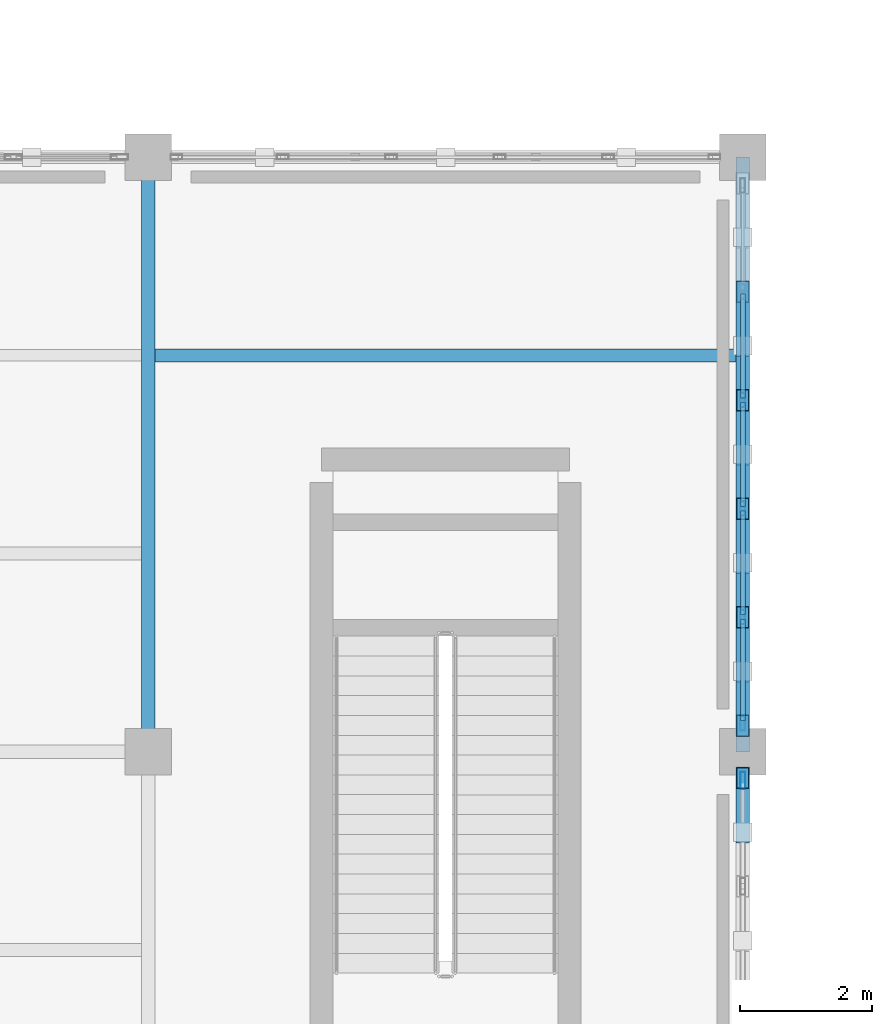
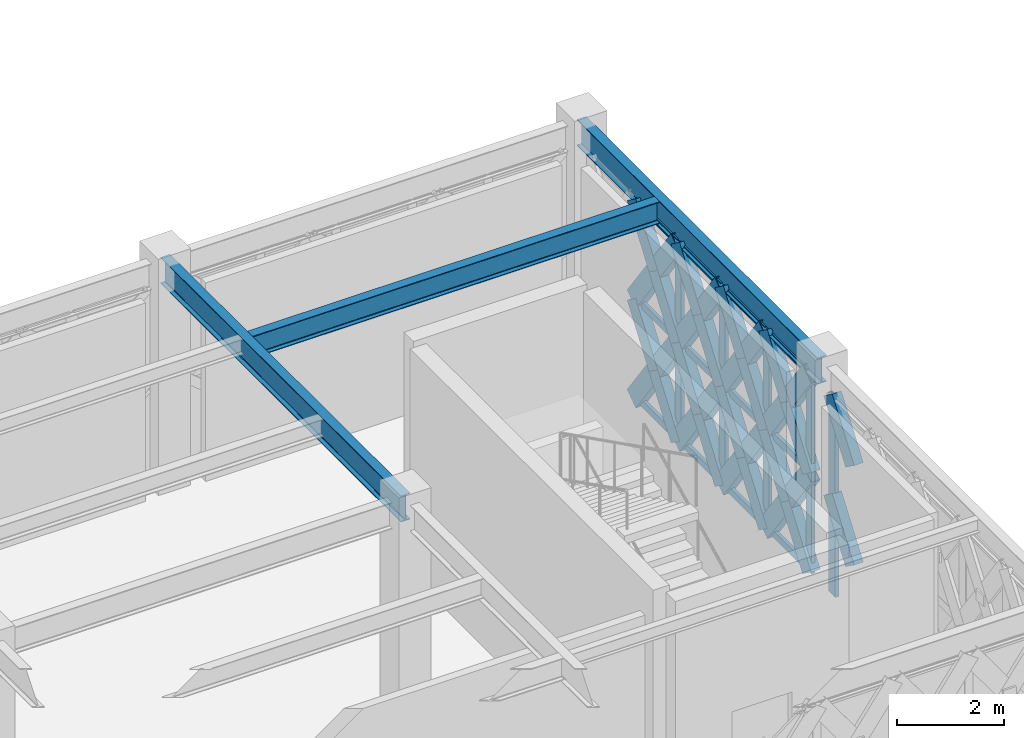
# One storey, part 13 of 72: 43 members, 3 beams, 2 elements without a shape of their own.
"""IFC4 building model written with IfcOpenShell, lengths in metres."""

from ifc_helpers import new_model, si_unit, direction, frame, origin, origin_2d, place, context, subcontext, project, spatial, hollow_rectangle, i_section, extrude, material, material_profile, profile_set, type_object, element, aggregate, save


model = new_model("IFC4")

# Units and contexts
model_context = context("Model", 3, precision=1e-05, world=origin(), true_north=direction((0.0, 1.0)))
body_context = subcontext(model_context, "Body", "Model", "MODEL_VIEW")
ifc_project = project(units=[si_unit("LENGTHUNIT", "METRE"), si_unit("AREAUNIT", "SQUARE_METRE"), si_unit("VOLUMEUNIT", "CUBIC_METRE"), si_unit("PLANEANGLEUNIT", "RADIAN"), si_unit("MASSUNIT", "GRAM", prefix="KILO")], contexts=[model_context])

# Site, building, storey
site_placement = place(None, origin())
site = spatial("IfcSite", under=ifc_project, at=site_placement, CompositionType="ELEMENT")
building_placement = place(site_placement, origin())
building = spatial("IfcBuilding", under=site, at=building_placement, Name="Haizhuo Lancet Aquarium", CompositionType="ELEMENT")
storey_placement = place(building_placement, frame((0.0, 0.0, 21.60009765625)))
storey = spatial("IfcBuildingStorey", under=building, at=storey_placement, Name="L04", CompositionType="ELEMENT", Elevation=21.60009765625)

# Beams
ifc_material_1 = material(Name="Steel S355", Category="steel")
ifc_material_profile_1 = material_profile(ifc_material_1, i_section(OverallWidth=0.199951171875, OverallDepth=0.60009765625, WebThickness=0.010986328125, FlangeThickness=0.01708984375, FilletRadius=0.02197265625, at=origin_2d()), Name="HN 600x200x11x17")
ifc_profile_set_1 = profile_set([ifc_material_profile_1], Name="Steel S355")
beam_type_1 = type_object("IfcBeamType", Name="BM-ST-HN600", PredefinedType="BEAM", material=ifc_profile_set_1)
for number, where, z_axis, x_axis, name in (
    (1, (-45.0, -18.0, 4.849853515625), (0.0, 1.0, 0.0), (-1.0, 0.0, 0.0), "L04 V6 primary girder BM-L04-V6-021"),
    (2, (-36.0, -18.0, 4.849853515625), (0.0, 1.0, 0.0), (-1.0, 0.0, 0.0), "L04 V6 primary girder BM-L04-V6-024"),
):
    element("IfcBeam", number, at=place(storey_placement, frame(where, z_axis=z_axis, x_axis=x_axis)), inside=storey, type_object=beam_type_1, Name=name, PredefinedType="BEAM", context=body_context, shape_type="SweptSolid", body=[
        extrude(i_section(OverallWidth=0.199951171875, OverallDepth=0.60009765625, WebThickness=0.010986328125, FlangeThickness=0.01708984375, FilletRadius=0.02197265625, at=origin_2d()), origin(), (0.0, 0.0, 1.0), 9.0),
    ])

# Curtain wall, members
ifc_material_2 = material(Name="Aluminium 6063-T6", Category="aluminium")
curtain_wall_type = type_object("IfcCurtainWallType", Name="CWD-8210x4550", PredefinedType="NOTDEFINED", material=ifc_material_2)
curtain_wall_1_placement = place(storey_placement, origin())
curtain_wall_1 = element("IfcCurtainWall", 3, at=curtain_wall_1_placement, inside=storey, type_object=curtain_wall_type, Name="L04 curtain wall CW-V6-L04-251", PredefinedType="NOTDEFINED")
ifc_material_profile_2 = material_profile(ifc_material_2, hollow_rectangle(XDim=0.074951171875, YDim=0.219970703125, WallThickness=0.0048828125, at=origin_2d()), Name="ALU-M 75x220x5")
ifc_profile_set_2 = profile_set([ifc_material_profile_2], Name="Aluminium 6063-T6")
member_type_1 = type_object("IfcMemberType", Name="CW-MUL-2", PredefinedType="MULLION", material=ifc_profile_set_2)
member_1_placement = place(storey_placement, frame((-36.0, -12.678955078125, 0.0), z_axis=(0.0, 0.0, 1.0), x_axis=(1.0, 0.0, 0.0)))
member_1 = element("IfcMember", 4, at=member_1_placement, type_object=member_type_1, Name="CWD-82x45 mullion 3", PredefinedType="MULLION", context=body_context, shape_type="SweptSolid", body=[
    extrude(hollow_rectangle(XDim=0.074951171875, YDim=0.219970703125, WallThickness=0.0048828125, at=origin_2d()), origin(), (0.0, 0.0, 1.0), 4.5498046875),
])
member_2_placement = place(storey_placement, frame((-36.0, -14.321044921875, 0.0), z_axis=(0.0, 0.0, 1.0), x_axis=(1.0, 0.0, 0.0)))
member_2 = element("IfcMember", 5, at=member_2_placement, type_object=member_type_1, Name="CWD-82x45 mullion 4", PredefinedType="MULLION", context=body_context, shape_type="SweptSolid", body=[
    extrude(hollow_rectangle(XDim=0.074951171875, YDim=0.219970703125, WallThickness=0.0048828125, at=origin_2d()), origin(), (0.0, 0.0, 1.0), 4.5498046875),
])
member_3_placement = place(storey_placement, frame((-36.0, -15.962890625, 0.0), z_axis=(0.0, 0.0, 1.0), x_axis=(1.0, 0.0, 0.0)))
member_3 = element("IfcMember", 6, at=member_3_placement, type_object=member_type_1, Name="CWD-82x45 mullion 5", PredefinedType="MULLION", context=body_context, shape_type="SweptSolid", body=[
    extrude(hollow_rectangle(XDim=0.074951171875, YDim=0.219970703125, WallThickness=0.0048828125, at=origin_2d()), origin(), (0.0, 0.0, 1.0), 4.5498046875),
])
member_4_placement = place(storey_placement, frame((-36.0, -17.568115234375, 0.0), z_axis=(0.0, 0.0, 1.0), x_axis=(1.0, 0.0, 0.0)))
member_4 = element("IfcMember", 7, at=member_4_placement, type_object=member_type_1, Name="CWD-82x45 mullion 6", PredefinedType="MULLION", context=body_context, shape_type="SweptSolid", body=[
    extrude(hollow_rectangle(XDim=0.074951171875, YDim=0.219970703125, WallThickness=0.0048828125, at=origin_2d()), origin(), (0.0, 0.0, 1.0), 4.5498046875),
])

# Curtain wall, member
curtain_wall_2_placement = place(storey_placement, origin())
curtain_wall_2 = element("IfcCurtainWall", 8, at=curtain_wall_2_placement, inside=storey, type_object=curtain_wall_type, Name="L04 curtain wall CW-V6-L04-252", PredefinedType="NOTDEFINED")
ifc_material_profile_3 = material_profile(ifc_material_2, hollow_rectangle(XDim=0.080078125, YDim=0.260009765625, WallThickness=0.0048828125, at=origin_2d()), Name="ALU-M 80x260x5")
ifc_profile_set_3 = profile_set([ifc_material_profile_3], Name="Aluminium 6063-T6")
member_type_2 = type_object("IfcMemberType", Name="CW-MUL-3", PredefinedType="MULLION", material=ifc_profile_set_3)
member_5_placement = place(storey_placement, frame((-36.0, -18.43505859375, 0.0), z_axis=(0.0, 0.0, 1.0), x_axis=(1.0, 0.0, 0.0)))
member_5 = element("IfcMember", 9, at=member_5_placement, type_object=member_type_2, Name="CWD-82x45 mullion 1", PredefinedType="MULLION", context=body_context, shape_type="SweptSolid", body=[
    extrude(hollow_rectangle(XDim=0.080078125, YDim=0.260009765625, WallThickness=0.0048828125, at=origin_2d()), origin(), (0.0, 0.0, 1.0), 4.5498046875),
])
aggregate(curtain_wall_2, [member_5])

# Member
ifc_material_profile_4 = material_profile(ifc_material_2, hollow_rectangle(XDim=0.074951171875, YDim=0.159912109375, WallThickness=0.00390625, at=origin_2d()), Name="ALU-T 75x160x4")
ifc_profile_set_4 = profile_set([ifc_material_profile_4], Name="Aluminium 6063-T6")
member_type_3 = type_object("IfcMemberType", Name="CW-TRN-2", PredefinedType="NOTDEFINED", material=ifc_profile_set_4)
member_6_placement = place(storey_placement, frame((-36.0, -11.074951171875, 0.037841796875), z_axis=(0.0, -1.0, 0.0), x_axis=(1.0, 0.0, 0.0)))
member_6 = element("IfcMember", 10, at=member_6_placement, type_object=member_type_3, Name="CWD-82x45 transom 2.1", ObjectType="TRANSOM", PredefinedType="USERDEFINED", context=body_context, shape_type="SweptSolid", body=[
    extrude(hollow_rectangle(XDim=0.074951171875, YDim=0.159912109375, WallThickness=0.00390625, at=origin_2d()), origin(), (0.0, 0.0, 1.0), 1.567138671875),
])

member_7_placement = place(storey_placement, frame((-36.0, -11.074951171875, 2.27490234375), z_axis=(0.0, -1.0, 0.0), x_axis=(1.0, 0.0, 0.0)))
member_7 = element("IfcMember", 11, at=member_7_placement, type_object=member_type_3, Name="CWD-82x45 transom 2.2", ObjectType="TRANSOM", PredefinedType="USERDEFINED", context=body_context, shape_type="SweptSolid", body=[
    extrude(hollow_rectangle(XDim=0.074951171875, YDim=0.159912109375, WallThickness=0.00390625, at=origin_2d()), origin(), (0.0, 0.0, 1.0), 1.567138671875),
])

member_8_placement = place(storey_placement, frame((-36.0, -11.074951171875, 4.511962890625), z_axis=(0.0, -1.0, 0.0), x_axis=(1.0, 0.0, 0.0)))
member_8 = element("IfcMember", 12, at=member_8_placement, type_object=member_type_3, Name="CWD-82x45 transom 2.3", ObjectType="TRANSOM", PredefinedType="USERDEFINED", context=body_context, shape_type="SweptSolid", body=[
    extrude(hollow_rectangle(XDim=0.074951171875, YDim=0.159912109375, WallThickness=0.00390625, at=origin_2d()), origin(), (0.0, 0.0, 1.0), 1.567138671875),
])

member_9_placement = place(storey_placement, frame((-36.0, -12.716064453125, 0.037841796875), z_axis=(0.0, -1.0, 0.0), x_axis=(1.0, 0.0, 0.0)))
member_9 = element("IfcMember", 13, at=member_9_placement, type_object=member_type_3, Name="CWD-82x45 transom 3.1", ObjectType="TRANSOM", PredefinedType="USERDEFINED", context=body_context, shape_type="SweptSolid", body=[
    extrude(hollow_rectangle(XDim=0.074951171875, YDim=0.159912109375, WallThickness=0.00390625, at=origin_2d()), origin(), (0.0, 0.0, 1.0), 1.56787109375),
])

member_10_placement = place(storey_placement, frame((-36.0, -12.716064453125, 2.27490234375), z_axis=(0.0, -1.0, 0.0), x_axis=(1.0, 0.0, 0.0)))
member_10 = element("IfcMember", 14, at=member_10_placement, type_object=member_type_3, Name="CWD-82x45 transom 3.2", ObjectType="TRANSOM", PredefinedType="USERDEFINED", context=body_context, shape_type="SweptSolid", body=[
    extrude(hollow_rectangle(XDim=0.074951171875, YDim=0.159912109375, WallThickness=0.00390625, at=origin_2d()), origin(), (0.0, 0.0, 1.0), 1.56787109375),
])

member_11_placement = place(storey_placement, frame((-36.0, -12.716064453125, 4.511962890625), z_axis=(0.0, -1.0, 0.0), x_axis=(1.0, 0.0, 0.0)))
member_11 = element("IfcMember", 15, at=member_11_placement, type_object=member_type_3, Name="CWD-82x45 transom 3.3", ObjectType="TRANSOM", PredefinedType="USERDEFINED", context=body_context, shape_type="SweptSolid", body=[
    extrude(hollow_rectangle(XDim=0.074951171875, YDim=0.159912109375, WallThickness=0.00390625, at=origin_2d()), origin(), (0.0, 0.0, 1.0), 1.56787109375),
])

member_12_placement = place(storey_placement, frame((-36.0, -14.35791015625, 0.037841796875), z_axis=(0.0, -1.0, 0.0), x_axis=(1.0, 0.0, 0.0)))
member_12 = element("IfcMember", 16, at=member_12_placement, type_object=member_type_3, Name="CWD-82x45 transom 4.1", ObjectType="TRANSOM", PredefinedType="USERDEFINED", context=body_context, shape_type="SweptSolid", body=[
    extrude(hollow_rectangle(XDim=0.074951171875, YDim=0.159912109375, WallThickness=0.00390625, at=origin_2d()), origin(), (0.0, 0.0, 1.0), 1.567138671875),
])

member_13_placement = place(storey_placement, frame((-36.0, -14.35791015625, 2.27490234375), z_axis=(0.0, -1.0, 0.0), x_axis=(1.0, 0.0, 0.0)))
member_13 = element("IfcMember", 17, at=member_13_placement, type_object=member_type_3, Name="CWD-82x45 transom 4.2", ObjectType="TRANSOM", PredefinedType="USERDEFINED", context=body_context, shape_type="SweptSolid", body=[
    extrude(hollow_rectangle(XDim=0.074951171875, YDim=0.159912109375, WallThickness=0.00390625, at=origin_2d()), origin(), (0.0, 0.0, 1.0), 1.567138671875),
])

member_14_placement = place(storey_placement, frame((-36.0, -14.35791015625, 4.511962890625), z_axis=(0.0, -1.0, 0.0), x_axis=(1.0, 0.0, 0.0)))
member_14 = element("IfcMember", 18, at=member_14_placement, type_object=member_type_3, Name="CWD-82x45 transom 4.3", ObjectType="TRANSOM", PredefinedType="USERDEFINED", context=body_context, shape_type="SweptSolid", body=[
    extrude(hollow_rectangle(XDim=0.074951171875, YDim=0.159912109375, WallThickness=0.00390625, at=origin_2d()), origin(), (0.0, 0.0, 1.0), 1.567138671875),
])

member_15_placement = place(storey_placement, frame((-36.0, -16.0, 0.037841796875), z_axis=(0.0, -1.0, 0.0), x_axis=(1.0, 0.0, 0.0)))
member_15 = element("IfcMember", 19, at=member_15_placement, type_object=member_type_3, Name="CWD-82x45 transom 5.1", ObjectType="TRANSOM", PredefinedType="USERDEFINED", context=body_context, shape_type="SweptSolid", body=[
    extrude(hollow_rectangle(XDim=0.074951171875, YDim=0.159912109375, WallThickness=0.00390625, at=origin_2d()), origin(), (0.0, 0.0, 1.0), 1.530029296875),
])

member_16_placement = place(storey_placement, frame((-36.0, -16.0, 2.27490234375), z_axis=(0.0, -1.0, 0.0), x_axis=(1.0, 0.0, 0.0)))
member_16 = element("IfcMember", 20, at=member_16_placement, type_object=member_type_3, Name="CWD-82x45 transom 5.2", ObjectType="TRANSOM", PredefinedType="USERDEFINED", context=body_context, shape_type="SweptSolid", body=[
    extrude(hollow_rectangle(XDim=0.074951171875, YDim=0.159912109375, WallThickness=0.00390625, at=origin_2d()), origin(), (0.0, 0.0, 1.0), 1.530029296875),
])

member_17_placement = place(storey_placement, frame((-36.0, -16.0, 4.511962890625), z_axis=(0.0, -1.0, 0.0), x_axis=(1.0, 0.0, 0.0)))
member_17 = element("IfcMember", 21, at=member_17_placement, type_object=member_type_3, Name="CWD-82x45 transom 5.3", ObjectType="TRANSOM", PredefinedType="USERDEFINED", context=body_context, shape_type="SweptSolid", body=[
    extrude(hollow_rectangle(XDim=0.074951171875, YDim=0.159912109375, WallThickness=0.00390625, at=origin_2d()), origin(), (0.0, 0.0, 1.0), 1.530029296875),
])

aggregate(curtain_wall_1, [member_1, member_2, member_3, member_4, member_6, member_7, member_8, member_9, member_10, member_11, member_12, member_13, member_14, member_15, member_16, member_17])

# Beam
ifc_material_profile_5 = material_profile(ifc_material_1, i_section(OverallWidth=0.199951171875, OverallDepth=0.5, WebThickness=0.010009765625, FlangeThickness=0.01611328125, FilletRadius=0.02001953125, at=origin_2d()), Name="HN 500x200x10x16")
ifc_profile_set_5 = profile_set([ifc_material_profile_5], Name="Steel S355")
beam_type_2 = type_object("IfcBeamType", Name="JST-ST-HN500", PredefinedType="JOIST", material=ifc_profile_set_5)
beam_placement = place(storey_placement, frame((-44.89990234375, -12.0, 4.89990234375), z_axis=(1.0, 0.0, 0.0), x_axis=(0.0, 1.0, 0.0)))
element("IfcBeam", 22, at=beam_placement, inside=storey, type_object=beam_type_2, Name="L04 V6 secondary floor joist 15", PredefinedType="JOIST", context=body_context, shape_type="SweptSolid", body=[
    extrude(i_section(OverallWidth=0.199951171875, OverallDepth=0.5, WebThickness=0.010009765625, FlangeThickness=0.01611328125, FilletRadius=0.02001953125, at=origin_2d()), origin(), (0.0, 0.0, 1.0), 8.7998046875),
])

# Members
ifc_material_profile_6 = material_profile(ifc_material_1, hollow_rectangle(XDim=0.199951171875, YDim=0.39990234375, WallThickness=0.011962890625, at=origin_2d()), Name="RHS 200x400x12")
ifc_profile_set_6 = profile_set([ifc_material_profile_6], Name="Steel S355")
member_type_4 = type_object("IfcMemberType", Name="MEM-LB-RHS200x400", PredefinedType="BRACE", material=ifc_profile_set_6)
member_18_placement = place(storey_placement, frame((-36.0, -11.037109375, 0.0), z_axis=(0.0, -0.585223630803, 0.810871939304), x_axis=(1.0, 0.0, 0.0)))
element("IfcMember", 23, at=member_18_placement, inside=storey, type_object=member_type_4, Name="Gothic lancet continuous diagonal brace CW-V6-L04-251 3A", PredefinedType="BRACE", context=body_context, shape_type="SweptSolid", body=[
    extrude(hollow_rectangle(XDim=0.199951171875, YDim=0.39990234375, WallThickness=0.011962890625, at=origin_2d()), origin(), (0.0, 0.0, 1.0), 2.805419921875),
])
member_19_placement = place(storey_placement, frame((-36.0, -12.678955078125, 0.0), z_axis=(0.0, 0.585115697402, 0.810949826224), x_axis=(-1.0, 0.0, 0.0)))
element("IfcMember", 24, at=member_19_placement, inside=storey, type_object=member_type_4, Name="Gothic lancet split diagonal brace CW-V6-L04-251 3B1", PredefinedType="BRACE", context=body_context, shape_type="SweptSolid", body=[
    extrude(hollow_rectangle(XDim=0.199951171875, YDim=0.39990234375, WallThickness=0.011962890625, at=origin_2d()), origin(), (0.0, 0.0, 1.0), 1.4033203125),
])
member_20_placement = place(storey_placement, frame((-36.0, -11.85791015625, 1.137939453125), z_axis=(0.0, 0.585331625772, 0.810793986085), x_axis=(-1.0, 0.0, 0.0)))
element("IfcMember", 25, at=member_20_placement, inside=storey, type_object=member_type_4, Name="Gothic lancet split diagonal brace CW-V6-L04-251 3B2", PredefinedType="BRACE", context=body_context, shape_type="SweptSolid", body=[
    extrude(hollow_rectangle(XDim=0.199951171875, YDim=0.39990234375, WallThickness=0.011962890625, at=origin_2d()), origin(), (0.0, 0.0, 1.0), 1.40234375),
])
member_21_placement = place(storey_placement, frame((-36.0, -11.037109375, 2.27490234375), z_axis=(0.0, -0.585223630803, 0.810871939304), x_axis=(1.0, 0.0, 0.0)))
element("IfcMember", 26, at=member_21_placement, inside=storey, type_object=member_type_4, Name="Gothic lancet continuous diagonal brace CW-V6-L04-251 4A", PredefinedType="BRACE", context=body_context, shape_type="SweptSolid", body=[
    extrude(hollow_rectangle(XDim=0.199951171875, YDim=0.39990234375, WallThickness=0.011962890625, at=origin_2d()), origin(), (0.0, 0.0, 1.0), 2.805419921875),
])
member_22_placement = place(storey_placement, frame((-36.0, -12.678955078125, 2.27490234375), z_axis=(0.0, 0.585446060787, 0.810711360417), x_axis=(-1.0, 0.0, 0.0)))
element("IfcMember", 27, at=member_22_placement, inside=storey, type_object=member_type_4, Name="Gothic lancet split diagonal brace CW-V6-L04-251 4B1", PredefinedType="BRACE", context=body_context, shape_type="SweptSolid", body=[
    extrude(hollow_rectangle(XDim=0.199951171875, YDim=0.39990234375, WallThickness=0.011962890625, at=origin_2d()), origin(), (0.0, 0.0, 1.0), 1.40234375),
])
member_23_placement = place(storey_placement, frame((-36.0, -11.85791015625, 3.411865234375), z_axis=(0.0, 0.585001259689, 0.81103238293), x_axis=(-1.0, 0.0, 0.0)))
element("IfcMember", 28, at=member_23_placement, inside=storey, type_object=member_type_4, Name="Gothic lancet split diagonal brace CW-V6-L04-251 4B2", PredefinedType="BRACE", context=body_context, shape_type="SweptSolid", body=[
    extrude(hollow_rectangle(XDim=0.199951171875, YDim=0.39990234375, WallThickness=0.011962890625, at=origin_2d()), origin(), (0.0, 0.0, 1.0), 1.403076171875),
])
member_24_placement = place(storey_placement, frame((-36.0, -12.678955078125, 0.0), z_axis=(0.0, -0.585280844621, 0.810830643797), x_axis=(1.0, 0.0, 0.0)))
element("IfcMember", 29, at=member_24_placement, inside=storey, type_object=member_type_4, Name="Gothic lancet continuous diagonal brace CW-V6-L04-251 5A", PredefinedType="BRACE", context=body_context, shape_type="SweptSolid", body=[
    extrude(hollow_rectangle(XDim=0.199951171875, YDim=0.39990234375, WallThickness=0.011962890625, at=origin_2d()), origin(), (0.0, 0.0, 1.0), 2.8056640625),
])
member_25_placement = place(storey_placement, frame((-36.0, -14.321044921875, 0.0), z_axis=(0.0, 0.585115697402, 0.810949826224), x_axis=(-1.0, 0.0, 0.0)))
element("IfcMember", 30, at=member_25_placement, inside=storey, type_object=member_type_4, Name="Gothic lancet split diagonal brace CW-V6-L04-251 5B1", PredefinedType="BRACE", context=body_context, shape_type="SweptSolid", body=[
    extrude(hollow_rectangle(XDim=0.199951171875, YDim=0.39990234375, WallThickness=0.011962890625, at=origin_2d()), origin(), (0.0, 0.0, 1.0), 1.4033203125),
])
member_26_placement = place(storey_placement, frame((-36.0, -13.5, 1.137939453125), z_axis=(0.0, 0.585446060787, 0.810711360417), x_axis=(-1.0, 0.0, 0.0)))
element("IfcMember", 31, at=member_26_placement, inside=storey, type_object=member_type_4, Name="Gothic lancet split diagonal brace CW-V6-L04-251 5B2", PredefinedType="BRACE", context=body_context, shape_type="SweptSolid", body=[
    extrude(hollow_rectangle(XDim=0.199951171875, YDim=0.39990234375, WallThickness=0.011962890625, at=origin_2d()), origin(), (0.0, 0.0, 1.0), 1.40234375),
])
member_27_placement = place(storey_placement, frame((-36.0, -12.678955078125, 2.27490234375), z_axis=(0.0, -0.585280844621, 0.810830643797), x_axis=(1.0, 0.0, 0.0)))
element("IfcMember", 32, at=member_27_placement, inside=storey, type_object=member_type_4, Name="Gothic lancet continuous diagonal brace CW-V6-L04-251 6A", PredefinedType="BRACE", context=body_context, shape_type="SweptSolid", body=[
    extrude(hollow_rectangle(XDim=0.199951171875, YDim=0.39990234375, WallThickness=0.011962890625, at=origin_2d()), origin(), (0.0, 0.0, 1.0), 2.8056640625),
])
member_28_placement = place(storey_placement, frame((-36.0, -14.321044921875, 2.27490234375), z_axis=(0.0, 0.585446060787, 0.810711360417), x_axis=(-1.0, 0.0, 0.0)))
element("IfcMember", 33, at=member_28_placement, inside=storey, type_object=member_type_4, Name="Gothic lancet split diagonal brace CW-V6-L04-251 6B1", PredefinedType="BRACE", context=body_context, shape_type="SweptSolid", body=[
    extrude(hollow_rectangle(XDim=0.199951171875, YDim=0.39990234375, WallThickness=0.011962890625, at=origin_2d()), origin(), (0.0, 0.0, 1.0), 1.40234375),
])
member_29_placement = place(storey_placement, frame((-36.0, -13.5, 3.411865234375), z_axis=(0.0, 0.585115697402, 0.810949826224), x_axis=(-1.0, 0.0, 0.0)))
element("IfcMember", 34, at=member_29_placement, inside=storey, type_object=member_type_4, Name="Gothic lancet split diagonal brace CW-V6-L04-251 6B2", PredefinedType="BRACE", context=body_context, shape_type="SweptSolid", body=[
    extrude(hollow_rectangle(XDim=0.199951171875, YDim=0.39990234375, WallThickness=0.011962890625, at=origin_2d()), origin(), (0.0, 0.0, 1.0), 1.4033203125),
])
member_30_placement = place(storey_placement, frame((-36.0, -14.321044921875, 0.0), z_axis=(0.0, -0.585223630803, 0.810871939304), x_axis=(1.0, 0.0, 0.0)))
element("IfcMember", 35, at=member_30_placement, inside=storey, type_object=member_type_4, Name="Gothic lancet continuous diagonal brace CW-V6-L04-251 7A", PredefinedType="BRACE", context=body_context, shape_type="SweptSolid", body=[
    extrude(hollow_rectangle(XDim=0.199951171875, YDim=0.39990234375, WallThickness=0.011962890625, at=origin_2d()), origin(), (0.0, 0.0, 1.0), 2.805419921875),
])
member_31_placement = place(storey_placement, frame((-36.0, -15.962890625, 0.0), z_axis=(0.0, 0.585001259689, 0.81103238293), x_axis=(-1.0, 0.0, 0.0)))
element("IfcMember", 36, at=member_31_placement, inside=storey, type_object=member_type_4, Name="Gothic lancet split diagonal brace CW-V6-L04-251 7B1", PredefinedType="BRACE", context=body_context, shape_type="SweptSolid", body=[
    extrude(hollow_rectangle(XDim=0.199951171875, YDim=0.39990234375, WallThickness=0.011962890625, at=origin_2d()), origin(), (0.0, 0.0, 1.0), 1.403076171875),
])
member_32_placement = place(storey_placement, frame((-36.0, -15.14208984375, 1.137939453125), z_axis=(0.0, 0.585446060787, 0.810711360417), x_axis=(-1.0, 0.0, 0.0)))
element("IfcMember", 37, at=member_32_placement, inside=storey, type_object=member_type_4, Name="Gothic lancet split diagonal brace CW-V6-L04-251 7B2", PredefinedType="BRACE", context=body_context, shape_type="SweptSolid", body=[
    extrude(hollow_rectangle(XDim=0.199951171875, YDim=0.39990234375, WallThickness=0.011962890625, at=origin_2d()), origin(), (0.0, 0.0, 1.0), 1.40234375),
])
member_33_placement = place(storey_placement, frame((-36.0, -14.321044921875, 2.27490234375), z_axis=(0.0, -0.585223630803, 0.810871939304), x_axis=(1.0, 0.0, 0.0)))
element("IfcMember", 38, at=member_33_placement, inside=storey, type_object=member_type_4, Name="Gothic lancet continuous diagonal brace CW-V6-L04-251 8A", PredefinedType="BRACE", context=body_context, shape_type="SweptSolid", body=[
    extrude(hollow_rectangle(XDim=0.199951171875, YDim=0.39990234375, WallThickness=0.011962890625, at=origin_2d()), origin(), (0.0, 0.0, 1.0), 2.805419921875),
])
member_34_placement = place(storey_placement, frame((-36.0, -15.962890625, 2.27490234375), z_axis=(0.0, 0.585331625772, 0.810793986085), x_axis=(-1.0, 0.0, 0.0)))
element("IfcMember", 39, at=member_34_placement, inside=storey, type_object=member_type_4, Name="Gothic lancet split diagonal brace CW-V6-L04-251 8B1", PredefinedType="BRACE", context=body_context, shape_type="SweptSolid", body=[
    extrude(hollow_rectangle(XDim=0.199951171875, YDim=0.39990234375, WallThickness=0.011962890625, at=origin_2d()), origin(), (0.0, 0.0, 1.0), 1.40234375),
])
member_35_placement = place(storey_placement, frame((-36.0, -15.14208984375, 3.411865234375), z_axis=(0.0, 0.585115697402, 0.810949826224), x_axis=(-1.0, 0.0, 0.0)))
element("IfcMember", 40, at=member_35_placement, inside=storey, type_object=member_type_4, Name="Gothic lancet split diagonal brace CW-V6-L04-251 8B2", PredefinedType="BRACE", context=body_context, shape_type="SweptSolid", body=[
    extrude(hollow_rectangle(XDim=0.199951171875, YDim=0.39990234375, WallThickness=0.011962890625, at=origin_2d()), origin(), (0.0, 0.0, 1.0), 1.4033203125),
])
member_36_placement = place(storey_placement, frame((-36.0, -15.962890625, 0.0), z_axis=(0.0, -0.585280844621, 0.810830643797), x_axis=(1.0, 0.0, 0.0)))
element("IfcMember", 41, at=member_36_placement, inside=storey, type_object=member_type_4, Name="Gothic lancet continuous diagonal brace CW-V6-L04-251 9A", PredefinedType="BRACE", context=body_context, shape_type="SweptSolid", body=[
    extrude(hollow_rectangle(XDim=0.199951171875, YDim=0.39990234375, WallThickness=0.011962890625, at=origin_2d()), origin(), (0.0, 0.0, 1.0), 2.8056640625),
])
member_37_placement = place(storey_placement, frame((-36.0, -17.60498046875, 0.0), z_axis=(0.0, 0.585115697402, 0.810949826224), x_axis=(-1.0, 0.0, 0.0)))
element("IfcMember", 42, at=member_37_placement, inside=storey, type_object=member_type_4, Name="Gothic lancet split diagonal brace CW-V6-L04-251 9B1", PredefinedType="BRACE", context=body_context, shape_type="SweptSolid", body=[
    extrude(hollow_rectangle(XDim=0.199951171875, YDim=0.39990234375, WallThickness=0.011962890625, at=origin_2d()), origin(), (0.0, 0.0, 1.0), 1.4033203125),
])
member_38_placement = place(storey_placement, frame((-36.0, -16.783935546875, 1.137939453125), z_axis=(0.0, 0.585446060787, 0.810711360417), x_axis=(-1.0, 0.0, 0.0)))
element("IfcMember", 43, at=member_38_placement, inside=storey, type_object=member_type_4, Name="Gothic lancet split diagonal brace CW-V6-L04-251 9B2", PredefinedType="BRACE", context=body_context, shape_type="SweptSolid", body=[
    extrude(hollow_rectangle(XDim=0.199951171875, YDim=0.39990234375, WallThickness=0.011962890625, at=origin_2d()), origin(), (0.0, 0.0, 1.0), 1.40234375),
])
member_39_placement = place(storey_placement, frame((-36.0, -15.962890625, 2.27490234375), z_axis=(0.0, -0.585280844621, 0.810830643797), x_axis=(1.0, 0.0, 0.0)))
element("IfcMember", 44, at=member_39_placement, inside=storey, type_object=member_type_4, Name="Gothic lancet continuous diagonal brace CW-V6-L04-251 10A", PredefinedType="BRACE", context=body_context, shape_type="SweptSolid", body=[
    extrude(hollow_rectangle(XDim=0.199951171875, YDim=0.39990234375, WallThickness=0.011962890625, at=origin_2d()), origin(), (0.0, 0.0, 1.0), 2.8056640625),
])
member_40_placement = place(storey_placement, frame((-36.0, -17.60498046875, 2.27490234375), z_axis=(0.0, 0.585446060787, 0.810711360417), x_axis=(-1.0, 0.0, 0.0)))
element("IfcMember", 45, at=member_40_placement, inside=storey, type_object=member_type_4, Name="Gothic lancet split diagonal brace CW-V6-L04-251 10B1", PredefinedType="BRACE", context=body_context, shape_type="SweptSolid", body=[
    extrude(hollow_rectangle(XDim=0.199951171875, YDim=0.39990234375, WallThickness=0.011962890625, at=origin_2d()), origin(), (0.0, 0.0, 1.0), 1.40234375),
])
member_41_placement = place(storey_placement, frame((-36.0, -16.783935546875, 3.411865234375), z_axis=(0.0, 0.585115697402, 0.810949826224), x_axis=(-1.0, 0.0, 0.0)))
element("IfcMember", 46, at=member_41_placement, inside=storey, type_object=member_type_4, Name="Gothic lancet split diagonal brace CW-V6-L04-251 10B2", PredefinedType="BRACE", context=body_context, shape_type="SweptSolid", body=[
    extrude(hollow_rectangle(XDim=0.199951171875, YDim=0.39990234375, WallThickness=0.011962890625, at=origin_2d()), origin(), (0.0, 0.0, 1.0), 1.4033203125),
])
member_42_placement = place(storey_placement, frame((-36.0, -19.216064453125, 1.137939453125), z_axis=(0.0, 0.585446060787, 0.810711360417), x_axis=(-1.0, 0.0, 0.0)))
element("IfcMember", 47, at=member_42_placement, inside=storey, type_object=member_type_4, Name="Gothic lancet split diagonal brace CW-V6-L04-252 1B2", PredefinedType="BRACE", context=body_context, shape_type="SweptSolid", body=[
    extrude(hollow_rectangle(XDim=0.199951171875, YDim=0.39990234375, WallThickness=0.011962890625, at=origin_2d()), origin(), (0.0, 0.0, 1.0), 1.40234375),
])
member_43_placement = place(storey_placement, frame((-36.0, -19.216064453125, 3.411865234375), z_axis=(0.0, 0.585115697402, 0.810949826224), x_axis=(-1.0, 0.0, 0.0)))
element("IfcMember", 48, at=member_43_placement, inside=storey, type_object=member_type_4, Name="Gothic lancet split diagonal brace CW-V6-L04-252 2B2", PredefinedType="BRACE", context=body_context, shape_type="SweptSolid", body=[
    extrude(hollow_rectangle(XDim=0.199951171875, YDim=0.39990234375, WallThickness=0.011962890625, at=origin_2d()), origin(), (0.0, 0.0, 1.0), 1.4033203125),
])

save(model, "model.ifc")
